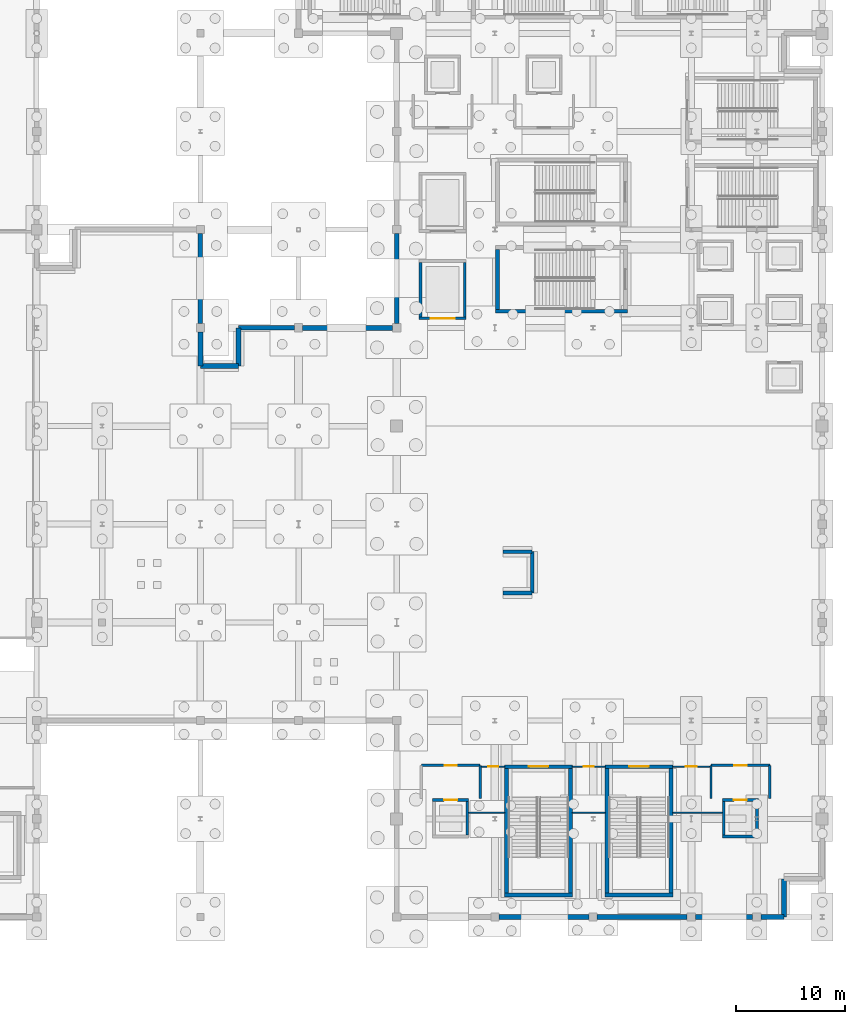
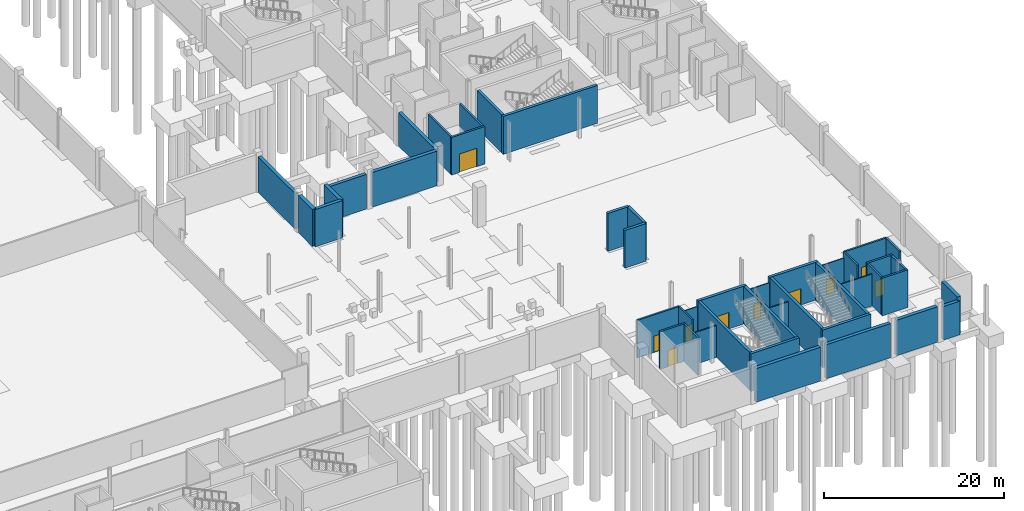
# One storey, part 42 of 58: 45 walls, 10 doors, 10 openings.
"""IFC4 building model written with IfcOpenShell, lengths in metres."""

from ifc_helpers import new_model, si_unit, direction, frame, frame_2d, origin, place, context, subcontext, project, spatial, rectangle, extrude, material, layer, layer_set, type_object, element, fill, save


model = new_model("IFC4")

# Units and contexts
model_context = context("Model", 3, precision=1e-05, world=origin(), true_north=direction((0.0, 1.0)))
body_context = subcontext(model_context, "Body", "Model", "MODEL_VIEW")
ifc_project = project(units=[si_unit("LENGTHUNIT", "METRE"), si_unit("AREAUNIT", "SQUARE_METRE"), si_unit("VOLUMEUNIT", "CUBIC_METRE"), si_unit("PLANEANGLEUNIT", "RADIAN"), si_unit("MASSUNIT", "GRAM", prefix="KILO")], contexts=[model_context])

# Site, building, storey
site_placement = place(None, origin())
site = spatial("IfcSite", under=ifc_project, at=site_placement, CompositionType="ELEMENT")
building_placement = place(site_placement, origin())
building = spatial("IfcBuilding", under=site, at=building_placement, Name="Qamarlyn Nura Convention Centre", CompositionType="ELEMENT")
storey_placement = place(building_placement, frame((0.0, 0.0, -5.39990234375)))
storey = spatial("IfcBuildingStorey", under=building, at=storey_placement, Name="B01", CompositionType="ELEMENT", Elevation=-5.39990234375)

# Wall, opening, door
ifc_material_1 = material(Name="Fire-rated acoustic gypsum board and mineral wool EI 120")
ifc_layer_1 = layer(ifc_material_1, 0.219970703125, Name="WT-COMP-220")
ifc_layer_set_1 = layer_set([ifc_layer_1], Name="Fire-rated acoustic gypsum board and mineral wool EI 120")
wall_type_1 = type_object("IfcWallType", Name="WT-COMP-220", PredefinedType="SOLIDWALL", material=ifc_layer_set_1)
wall_1_placement = place(storey_placement, frame((155.25, 13.89990234375, 0.0), z_axis=(0.0, 0.0, 1.0), x_axis=(1.0, 0.0, 0.0)))
wall_1 = element("IfcWall", 1, at=wall_1_placement, inside=storey, type_object=wall_type_1, Name="B01 firefighting lobby barrier wall FFL-01-OPP", PredefinedType="SOLIDWALL", context=body_context, shape_type="SweptSolid", body=[
    extrude(rectangle(XDim=5.39990234375, YDim=0.219970703125, at=frame_2d((2.699951171875, 0.0))), origin(), (0.0, 0.0, 1.0), 5.099853515625),
])
opening_1_placement = place(wall_1_placement, frame((2.139892578125, 0.0, 0.0)))
opening_1 = element("IfcOpeningElement", 2, at=opening_1_placement, cuts=wall_1, Name="Opening DF-103", PredefinedType="OPENING", context=body_context, shape_type="SweptSolid", body=[
    extrude(rectangle(XDim=1.1201171875, YDim=2.199951171875, at=frame_2d((0.56005859375, 1.10009765625))), frame((0.0, 0.1201171875, 0.0), z_axis=(0.0, -1.0, 0.0), x_axis=(1.0, 0.0, 0.0)), (0.0, 0.0, 1.0), 0.239990234375),
])
ifc_material_2 = material(Name="Galvanised fire-rated hollow steel door", Category="steel")
door_type_1 = type_object("IfcDoorType", Name="DR-FFL-1120", OperationType="NOTDEFINED", PredefinedType="DOOR", material=ifc_material_2)
door_1_placement = place(opening_1_placement, origin())
door_1 = element("IfcDoor", 3, at=door_1_placement, inside=storey, type_object=door_type_1, Name="B01 firefighting lobby door FFL-01 (DF-103)", OperationType="SINGLE_SWING_LEFT", OverallHeight=2.199951171875, OverallWidth=1.1201171875, PredefinedType="DOOR", context=body_context, shape_type="SweptSolid", body=[
    extrude(rectangle(XDim=1.1201171875, YDim=2.199951171875, at=frame_2d((0.56005859375, 1.10009765625))), frame((0.0, 0.02490234375, 0.0), z_axis=(0.0, -1.0, 0.0), x_axis=(1.0, 0.0, 0.0)), (0.0, 0.0, 1.0), 0.050048828125),
])
fill(opening_1, door_1)

# Wall
wall_2_placement = place(storey_placement, frame((160.64990234375, 10.85009765625, 0.0), z_axis=(0.0, 0.0, 1.0), x_axis=(0.0, 1.0, 0.0)))
element("IfcWall", 4, at=wall_2_placement, inside=storey, type_object=wall_type_1, Name="B01 firefighting lobby barrier wall FFL-01-E", PredefinedType="SOLIDWALL", context=body_context, shape_type="SweptSolid", body=[
    extrude(rectangle(XDim=3.0498046875, YDim=0.219970703125, at=frame_2d((1.52490234375, 0.0))), origin(), (0.0, 0.0, 1.0), 5.099853515625),
])

# Wall, opening, door
wall_3_placement = place(storey_placement, frame((181.800048828125, 13.89990234375, 0.0), z_axis=(0.0, 0.0, 1.0), x_axis=(1.0, 0.0, 0.0)))
wall_3 = element("IfcWall", 5, at=wall_3_placement, inside=storey, type_object=wall_type_1, Name="B01 firefighting lobby barrier wall FFL-02-OPP", PredefinedType="SOLIDWALL", context=body_context, shape_type="SweptSolid", body=[
    extrude(rectangle(XDim=5.39990234375, YDim=0.219970703125, at=frame_2d((2.699951171875, 0.0))), origin(), (0.0, 0.0, 1.0), 5.099853515625),
])
opening_2_placement = place(wall_3_placement, frame((2.139892578125, 0.0, 0.0)))
opening_2 = element("IfcOpeningElement", 6, at=opening_2_placement, cuts=wall_3, Name="Opening DF-110", PredefinedType="OPENING", context=body_context, shape_type="SweptSolid", body=[
    extrude(rectangle(XDim=1.1201171875, YDim=2.199951171875, at=frame_2d((0.56005859375, 1.10009765625))), frame((0.0, 0.1201171875, 0.0), z_axis=(0.0, -1.0, 0.0), x_axis=(1.0, 0.0, 0.0)), (0.0, 0.0, 1.0), 0.239990234375),
])
door_2_placement = place(opening_2_placement, origin())
door_2 = element("IfcDoor", 7, at=door_2_placement, inside=storey, type_object=door_type_1, Name="B01 firefighting lobby door FFL-02 (DF-110)", OperationType="SINGLE_SWING_RIGHT", OverallHeight=2.199951171875, OverallWidth=1.1201171875, PredefinedType="DOOR", context=body_context, shape_type="SweptSolid", body=[
    extrude(rectangle(XDim=1.1201171875, YDim=2.199951171875, at=frame_2d((0.56005859375, 1.10009765625))), frame((0.0, 0.02490234375, 0.0), z_axis=(0.0, -1.0, 0.0), x_axis=(1.0, 0.0, 0.0)), (0.0, 0.0, 1.0), 0.050048828125),
])
fill(opening_2, door_2)

# Walls
for number, where, z_axis, x_axis, name in (
    (8, (181.800048828125, 10.85009765625, 0.0), (0.0, 0.0, 1.0), (0.0, 1.0, 0.0), "B01 firefighting lobby barrier wall FFL-02-W"),
    (9, (187.199951171875, 10.85009765625, 0.0), (0.0, 0.0, 1.0), (0.0, 1.0, 0.0), "B01 firefighting lobby barrier wall FFL-02-E"),
):
    element("IfcWall", number, at=place(storey_placement, frame(where, z_axis=z_axis, x_axis=x_axis)), inside=storey, type_object=wall_type_1, Name=name, PredefinedType="SOLIDWALL", context=body_context, shape_type="SweptSolid", body=[
        extrude(rectangle(XDim=3.0498046875, YDim=0.219970703125, at=frame_2d((1.52490234375, 0.0))), origin(), (0.0, 0.0, 1.0), 5.099853515625),
    ])
ifc_material_3 = material(Name="Concrete C50/60", Category="concrete")
ifc_layer_2 = layer(ifc_material_3, 0.35009765625, Name="WT-CORE-350")
ifc_layer_set_2 = layer_set([ifc_layer_2], Name="Concrete C50/60")
wall_type_2 = type_object("IfcWallType", Name="WT-CORE-350", PredefinedType="SHEAR", material=ifc_layer_set_2)
wall_4_placement = place(storey_placement, frame((162.89990234375, 2.02490234375, 0.0), z_axis=(0.0, 0.0, 1.0), x_axis=(1.0, 0.0, 0.0)))
element("IfcWall", 10, at=wall_4_placement, inside=storey, type_object=wall_type_2, Name="B01 stair core shear wall ST-09-S", PredefinedType="SHEAR", context=body_context, shape_type="SweptSolid", body=[
    extrude(rectangle(XDim=6.2001953125, YDim=0.35009765625, at=frame_2d((3.10009765625, 0.0))), origin(), (0.0, 0.0, 1.0), 5.119873046875),
])

# Wall, opening, door
wall_5_placement = place(storey_placement, frame((169.10009765625, 13.77490234375, 0.0), z_axis=(0.0, 0.0, 1.0), x_axis=(-1.0, 0.0, 0.0)))
wall_5 = element("IfcWall", 11, at=wall_5_placement, inside=storey, type_object=wall_type_2, Name="B01 stair core shear wall ST-09-N", PredefinedType="SHEAR", context=body_context, shape_type="SweptSolid", body=[
    extrude(rectangle(XDim=6.2001953125, YDim=0.35009765625, at=frame_2d((3.10009765625, 0.0))), origin(), (0.0, 0.0, 1.0), 5.119873046875),
])
opening_3_placement = place(wall_5_placement, frame((2.199951171875, 0.0, 0.0)))
opening_3 = element("IfcOpeningElement", 12, at=opening_3_placement, cuts=wall_5, Name="Opening DS-029", PredefinedType="OPENING", context=body_context, shape_type="SweptSolid", body=[
    extrude(rectangle(XDim=1.800048828125, YDim=2.199951171875, at=frame_2d((0.89990234375, 1.10009765625))), frame((0.0, 0.18505859375, 0.0), z_axis=(0.0, -1.0, 0.0), x_axis=(1.0, 0.0, 0.0)), (0.0, 0.0, 1.0), 0.3701171875),
])
door_type_2 = type_object("IfcDoorType", Name="DR-STAIR-1800", OperationType="DOUBLE_DOOR_SINGLE_SWING", PredefinedType="DOOR", material=ifc_material_2)
door_3_placement = place(opening_3_placement, origin())
door_3 = element("IfcDoor", 13, at=door_3_placement, inside=storey, type_object=door_type_2, Name="B01 exit stair door ST-09 (DS-029)", OperationType="DOUBLE_DOOR_SINGLE_SWING", OverallHeight=2.199951171875, OverallWidth=1.800048828125, PredefinedType="DOOR", context=body_context, shape_type="SweptSolid", body=[
    extrude(rectangle(XDim=1.800048828125, YDim=2.199951171875, at=frame_2d((0.89990234375, 1.10009765625))), frame((0.0, 0.02490234375, 0.0), z_axis=(0.0, -1.0, 0.0), x_axis=(1.0, 0.0, 0.0)), (0.0, 0.0, 1.0), 0.050048828125),
])
fill(opening_3, door_3)

# Walls
for number, where, z_axis, x_axis, name in (
    (14, (163.074951171875, 13.60009765625, 0.0), (0.0, 0.0, 1.0), (0.0, -1.0, 0.0), "B01 stair core shear wall ST-09-W"),
    (15, (168.925048828125, 2.199951171875, 0.0), (0.0, 0.0, 1.0), (0.0, 1.0, 0.0), "B01 stair core shear wall ST-09-E"),
):
    element("IfcWall", number, at=place(storey_placement, frame(where, z_axis=z_axis, x_axis=x_axis)), inside=storey, type_object=wall_type_2, Name=name, PredefinedType="SHEAR", context=body_context, shape_type="SweptSolid", body=[
        extrude(rectangle(XDim=11.400146484375, YDim=0.35009765625, at=frame_2d((5.7001953125, 0.0))), origin(), (0.0, 0.0, 1.0), 5.119873046875),
    ])
wall_6_placement = place(storey_placement, frame((172.10009765625, 2.02490234375, 0.0), z_axis=(0.0, 0.0, 1.0), x_axis=(1.0, 0.0, 0.0)))
element("IfcWall", 16, at=wall_6_placement, inside=storey, type_object=wall_type_2, Name="B01 stair core shear wall ST-10-S", PredefinedType="SHEAR", context=body_context, shape_type="SweptSolid", body=[
    extrude(rectangle(XDim=6.199951171875, YDim=0.35009765625, at=frame_2d((3.10009765625, 0.0))), origin(), (0.0, 0.0, 1.0), 5.119873046875),
])

# Wall, opening, door
wall_7_placement = place(storey_placement, frame((178.300048828125, 13.77490234375, 0.0), z_axis=(0.0, 0.0, 1.0), x_axis=(-1.0, 0.0, 0.0)))
wall_7 = element("IfcWall", 17, at=wall_7_placement, inside=storey, type_object=wall_type_2, Name="B01 stair core shear wall ST-10-N", PredefinedType="SHEAR", context=body_context, shape_type="SweptSolid", body=[
    extrude(rectangle(XDim=6.199951171875, YDim=0.35009765625, at=frame_2d((3.10009765625, 0.0))), origin(), (0.0, 0.0, 1.0), 5.119873046875),
])
opening_4_placement = place(wall_7_placement, frame((2.199951171875, 0.0, 0.0)))
opening_4 = element("IfcOpeningElement", 18, at=opening_4_placement, cuts=wall_7, Name="Opening DS-036", PredefinedType="OPENING", context=body_context, shape_type="SweptSolid", body=[
    extrude(rectangle(XDim=1.800048828125, YDim=2.199951171875, at=frame_2d((0.89990234375, 1.10009765625))), frame((0.0, 0.18505859375, 0.0), z_axis=(0.0, -1.0, 0.0), x_axis=(1.0, 0.0, 0.0)), (0.0, 0.0, 1.0), 0.3701171875),
])
door_4_placement = place(opening_4_placement, origin())
door_4 = element("IfcDoor", 19, at=door_4_placement, inside=storey, type_object=door_type_2, Name="B01 exit stair door ST-10 (DS-036)", OperationType="DOUBLE_DOOR_SINGLE_SWING", OverallHeight=2.199951171875, OverallWidth=1.800048828125, PredefinedType="DOOR", context=body_context, shape_type="SweptSolid", body=[
    extrude(rectangle(XDim=1.800048828125, YDim=2.199951171875, at=frame_2d((0.89990234375, 1.10009765625))), frame((0.0, 0.02490234375, 0.0), z_axis=(0.0, -1.0, 0.0), x_axis=(1.0, 0.0, 0.0)), (0.0, 0.0, 1.0), 0.050048828125),
])
fill(opening_4, door_4)

# Walls
for number, where, z_axis, x_axis, name in (
    (20, (172.27490234375, 13.60009765625, 0.0), (0.0, 0.0, 1.0), (0.0, -1.0, 0.0), "B01 stair core shear wall ST-10-W"),
    (21, (178.125, 2.199951171875, 0.0), (0.0, 0.0, 1.0), (0.0, 1.0, 0.0), "B01 stair core shear wall ST-10-E"),
):
    element("IfcWall", number, at=place(storey_placement, frame(where, z_axis=z_axis, x_axis=x_axis)), inside=storey, type_object=wall_type_2, Name=name, PredefinedType="SHEAR", context=body_context, shape_type="SweptSolid", body=[
        extrude(rectangle(XDim=11.400146484375, YDim=0.35009765625, at=frame_2d((5.7001953125, 0.0))), origin(), (0.0, 0.0, 1.0), 5.119873046875),
    ])
wall_8_placement = place(storey_placement, frame((162.050048828125, 55.52490234375, 0.0), z_axis=(0.0, 0.0, 1.0), x_axis=(1.0, 0.0, 0.0)))
element("IfcWall", 22, at=wall_8_placement, inside=storey, type_object=wall_type_2, Name="B01 stair core shear wall ST-11-S", PredefinedType="SHEAR", context=body_context, shape_type="SweptSolid", body=[
    extrude(rectangle(XDim=12.099853515625, YDim=0.35009765625, at=frame_2d((6.0498046875, 0.0))), origin(), (0.0, 0.0, 1.0), 5.139892578125),
])
wall_9_placement = place(storey_placement, frame((162.22509765625, 61.199951171875, 0.0), z_axis=(0.0, 0.0, 1.0), x_axis=(0.0, -1.0, 0.0)))
element("IfcWall", 23, at=wall_9_placement, inside=storey, type_object=wall_type_2, Name="B01 stair core shear wall ST-11-W", PredefinedType="SHEAR", context=body_context, shape_type="SweptSolid", body=[
    extrude(rectangle(XDim=5.5, YDim=0.35009765625, at=frame_2d((2.75, 0.0))), origin(), (0.0, 0.0, 1.0), 5.139892578125),
])
for number, where, z_axis, x_axis, name in (
    (24, (162.719970703125, 29.699951171875, 0.0), (0.0, 0.0, 1.0), (1.0, 0.0, 0.0), "B01 feature stair support fin wall ST-20-1"),
    (25, (162.719970703125, 33.47998046875, 0.0), (0.0, 0.0, 1.0), (1.0, 0.0, 0.0), "B01 feature stair support fin wall ST-20-2"),
):
    element("IfcWall", number, at=place(storey_placement, frame(where, z_axis=z_axis, x_axis=x_axis)), inside=storey, type_object=wall_type_2, Name=name, PredefinedType="SHEAR", context=body_context, shape_type="SweptSolid", body=[
        extrude(rectangle(XDim=2.699951171875, YDim=0.35009765625, at=frame_2d((1.35009765625, 0.0))), origin(), (0.0, 0.0, 1.0), 5.119873046875),
    ])
wall_10_placement = place(storey_placement, frame((165.419921875, 29.699951171875, 0.0), z_axis=(0.0, 0.0, 1.0), x_axis=(0.0, 1.0, 0.0)))
element("IfcWall", 26, at=wall_10_placement, inside=storey, type_object=wall_type_2, Name="B01 feature stair support fin wall ST-20-3", PredefinedType="SHEAR", context=body_context, shape_type="SweptSolid", body=[
    extrude(rectangle(XDim=3.780029296875, YDim=0.35009765625, at=frame_2d((1.89013671875, 0.0))), origin(), (0.0, 0.0, 1.0), 5.119873046875),
])

# Wall, opening, door
ifc_material_4 = material(Name="Acoustic double-stud gypsum partition")
ifc_layer_3 = layer(ifc_material_4, 0.1201171875, Name="WT-PART-120")
ifc_layer_set_3 = layer_set([ifc_layer_3], Name="Acoustic double-stud gypsum partition")
wall_type_3 = type_object("IfcWallType", Name="WT-PART-120", PredefinedType="PARTITIONING", material=ifc_layer_set_3)
wall_11_placement = place(storey_placement, frame((160.760009765625, 13.77490234375, 0.0), z_axis=(0.0, 0.0, 1.0), x_axis=(1.0, 0.0, 0.0)))
wall_11 = element("IfcWall", 27, at=wall_11_placement, inside=storey, type_object=wall_type_3, Name="B01 interior partition B01-WC-M-B01-18-1", PredefinedType="PARTITIONING", context=body_context, shape_type="SweptSolid", body=[
    extrude(rectangle(XDim=2.139892578125, YDim=0.1201171875, at=frame_2d((1.06982421875, 0.0))), origin(), (0.0, 0.0, 1.0), 4.331787109375),
])
opening_5_placement = place(wall_11_placement, frame((0.610107421875, 0.0, 0.0)))
opening_5 = element("IfcOpeningElement", 28, at=opening_5_placement, cuts=wall_11, Name="Opening D-B01-131", PredefinedType="OPENING", context=body_context, shape_type="SweptSolid", body=[
    extrude(rectangle(XDim=0.919921875, YDim=2.1201171875, at=frame_2d((0.4599609375, 1.06005859375))), frame((0.0, 0.070068359375, 0.0), z_axis=(0.0, -1.0, 0.0), x_axis=(1.0, 0.0, 0.0)), (0.0, 0.0, 1.0), 0.14013671875),
])
ifc_material_5 = material(Name="Acoustic walnut timber leaf", Category="wood")
door_type_3 = type_object("IfcDoorType", Name="DR-WC-STD-092", OperationType="NOTDEFINED", PredefinedType="DOOR", material=ifc_material_5)
door_5_placement = place(opening_5_placement, origin())
door_5 = element("IfcDoor", 29, at=door_5_placement, inside=storey, type_object=door_type_3, Name="B01 Male WC B01 door D-B01-131", OperationType="SINGLE_SWING_LEFT", OverallHeight=2.1201171875, OverallWidth=0.919921875, PredefinedType="DOOR", context=body_context, shape_type="SweptSolid", body=[
    extrude(rectangle(XDim=0.919921875, YDim=2.1201171875, at=frame_2d((0.4599609375, 1.06005859375))), frame((0.0, 0.02490234375, 0.0), z_axis=(0.0, -1.0, 0.0), x_axis=(1.0, 0.0, 0.0)), (0.0, 0.0, 1.0), 0.050048828125),
])
fill(opening_5, door_5)

# Wall
wall_12_placement = place(storey_placement, frame((162.89990234375, 9.550048828125, 0.0), z_axis=(0.0, 0.0, 1.0), x_axis=(-1.0, 0.0, 0.0)))
element("IfcWall", 30, at=wall_12_placement, inside=storey, type_object=wall_type_3, Name="B01 interior partition B01-WC-M-B01-24-1", PredefinedType="PARTITIONING", context=body_context, shape_type="SweptSolid", body=[
    extrude(rectangle(XDim=3.2998046875, YDim=0.1201171875, at=frame_2d((1.64990234375, 0.0))), origin(), (0.0, 0.0, 1.0), 4.331787109375),
])

# Wall, opening, door
wall_13_placement = place(storey_placement, frame((169.10009765625, 13.77490234375, 0.0), z_axis=(0.0, 0.0, 1.0), x_axis=(1.0, 0.0, 0.0)))
wall_13 = element("IfcWall", 31, at=wall_13_placement, inside=storey, type_object=wall_type_3, Name="B01 interior partition B01-WC-F-B01-1-1", PredefinedType="PARTITIONING", context=body_context, shape_type="SweptSolid", body=[
    extrude(rectangle(XDim=3.0, YDim=0.1201171875, at=frame_2d((1.5, 0.0))), origin(), (0.0, 0.0, 1.0), 4.331787109375),
])
opening_6_placement = place(wall_13_placement, frame((1.0400390625, 0.0, 0.0)))
opening_6 = element("IfcOpeningElement", 32, at=opening_6_placement, cuts=wall_13, Name="Opening D-B01-132", PredefinedType="OPENING", context=body_context, shape_type="SweptSolid", body=[
    extrude(rectangle(XDim=0.919921875, YDim=2.1201171875, at=frame_2d((0.4599609375, 1.06005859375))), frame((0.0, 0.070068359375, 0.0), z_axis=(0.0, -1.0, 0.0), x_axis=(1.0, 0.0, 0.0)), (0.0, 0.0, 1.0), 0.14013671875),
])
door_6_placement = place(opening_6_placement, origin())
door_6 = element("IfcDoor", 33, at=door_6_placement, inside=storey, type_object=door_type_3, Name="B01 Female WC B01 door D-B01-132", OperationType="SINGLE_SWING_RIGHT", OverallHeight=2.1201171875, OverallWidth=0.919921875, PredefinedType="DOOR", context=body_context, shape_type="SweptSolid", body=[
    extrude(rectangle(XDim=0.919921875, YDim=2.1201171875, at=frame_2d((0.4599609375, 1.06005859375))), frame((0.0, 0.02490234375, 0.0), z_axis=(0.0, -1.0, 0.0), x_axis=(1.0, 0.0, 0.0)), (0.0, 0.0, 1.0), 0.050048828125),
])
fill(opening_6, door_6)

# Wall
wall_14_placement = place(storey_placement, frame((172.10009765625, 9.550048828125, 0.0), z_axis=(0.0, 0.0, 1.0), x_axis=(-1.0, 0.0, 0.0)))
element("IfcWall", 34, at=wall_14_placement, inside=storey, type_object=wall_type_3, Name="B01 interior partition B01-WC-F-B01-7-1", PredefinedType="PARTITIONING", context=body_context, shape_type="SweptSolid", body=[
    extrude(rectangle(XDim=3.0, YDim=0.1201171875, at=frame_2d((1.5, 0.0))), origin(), (0.0, 0.0, 1.0), 4.331787109375),
])

# Wall, opening, door
wall_15_placement = place(storey_placement, frame((178.300048828125, 13.77490234375, 0.0), z_axis=(0.0, 0.0, 1.0), x_axis=(1.0, 0.0, 0.0)))
wall_15 = element("IfcWall", 35, at=wall_15_placement, inside=storey, type_object=wall_type_3, Name="B01 interior partition B01-WC-A-B01-1-1", PredefinedType="PARTITIONING", context=body_context, shape_type="SweptSolid", body=[
    extrude(rectangle(XDim=3.389892578125, YDim=0.1201171875, at=frame_2d((1.69482421875, 0.0))), origin(), (0.0, 0.0, 1.0), 4.331787109375),
])
opening_7_placement = place(wall_15_placement, frame((1.18505859375, 0.0, 0.0)))
opening_7 = element("IfcOpeningElement", 36, at=opening_7_placement, cuts=wall_15, Name="Opening D-B01-133", PredefinedType="OPENING", context=body_context, shape_type="SweptSolid", body=[
    extrude(rectangle(XDim=1.02001953125, YDim=2.159912109375, at=frame_2d((0.510009765625, 1.080078125))), frame((0.0, 0.070068359375, 0.0), z_axis=(0.0, -1.0, 0.0), x_axis=(1.0, 0.0, 0.0)), (0.0, 0.0, 1.0), 0.14013671875),
])
door_type_4 = type_object("IfcDoorType", Name="DR-WC-ACC-102", OperationType="NOTDEFINED", PredefinedType="DOOR", material=ifc_material_5)
door_7_placement = place(opening_7_placement, origin())
door_7 = element("IfcDoor", 37, at=door_7_placement, inside=storey, type_object=door_type_4, Name="B01 Accessible WC B01 door D-B01-133", OperationType="SINGLE_SWING_LEFT", OverallHeight=2.159912109375, OverallWidth=1.02001953125, PredefinedType="DOOR", context=body_context, shape_type="SweptSolid", body=[
    extrude(rectangle(XDim=1.02001953125, YDim=2.159912109375, at=frame_2d((0.510009765625, 1.080078125))), frame((0.0, 0.02490234375, 0.0), z_axis=(0.0, -1.0, 0.0), x_axis=(1.0, 0.0, 0.0)), (0.0, 0.0, 1.0), 0.050048828125),
])
fill(opening_7, door_7)

# Walls
wall_16_placement = place(storey_placement, frame((182.85009765625, 9.550048828125, 0.0), z_axis=(0.0, 0.0, 1.0), x_axis=(-1.0, 0.0, 0.0)))
element("IfcWall", 38, at=wall_16_placement, inside=storey, type_object=wall_type_3, Name="B01 interior partition B01-WC-A-B01-20-1", PredefinedType="PARTITIONING", context=body_context, shape_type="SweptSolid", body=[
    extrude(rectangle(XDim=4.550048828125, YDim=0.1201171875, at=frame_2d((2.27490234375, 0.0))), origin(), (0.0, 0.0, 1.0), 4.331787109375),
])
ifc_material_6 = material(Name="Concrete C40/50", Category="concrete")
ifc_layer_4 = layer(ifc_material_6, 0.419921875, Name="WT-RET-420")
ifc_layer_set_4 = layer_set([ifc_layer_4], Name="Concrete C40/50")
wall_type_4 = type_object("IfcWallType", Name="WT-RET-420", PredefinedType="USERDEFINED", material=ifc_layer_set_4)
wall_17_placement = place(storey_placement, frame((135.0, 62.625, 0.0), z_axis=(0.0, 0.0, 1.0), x_axis=(0.0, -1.0, 0.0)))
element("IfcWall", 39, at=wall_17_placement, inside=storey, type_object=wall_type_4, Name="B01 perimeter retaining wall 38", ObjectType="RETAININGWALL", PredefinedType="USERDEFINED", context=body_context, shape_type="SweptSolid", body=[
    extrude(rectangle(XDim=8.25, YDim=0.419921875, at=frame_2d((4.125, 0.0))), origin(), (0.0, 0.0, 1.0), 4.845947265625),
])
wall_18_placement = place(storey_placement, frame((135.0, 50.5, 0.0), z_axis=(0.0, 0.0, 1.0), x_axis=(1.0, 0.0, 0.0)))
element("IfcWall", 40, at=wall_18_placement, inside=storey, type_object=wall_type_4, Name="B01 perimeter retaining wall 40", ObjectType="RETAININGWALL", PredefinedType="USERDEFINED", context=body_context, shape_type="SweptSolid", body=[
    extrude(rectangle(XDim=3.5, YDim=0.419921875, at=frame_2d((1.75, 0.0))), origin(), (0.0, 0.0, 1.0), 5.0498046875),
])
wall_19_placement = place(storey_placement, frame((138.5, 54.0, 0.0), z_axis=(0.0, 0.0, 1.0), x_axis=(1.0, 0.0, 0.0)))
element("IfcWall", 41, at=wall_19_placement, inside=storey, type_object=wall_type_4, Name="B01 perimeter retaining wall 42", ObjectType="RETAININGWALL", PredefinedType="USERDEFINED", context=body_context, shape_type="SweptSolid", body=[
    extrude(rectangle(XDim=5.125, YDim=0.419921875, at=frame_2d((2.5625, 0.0))), origin(), (0.0, 0.0, 1.0), 4.68994140625),
])
wall_20_placement = place(storey_placement, frame((153.0, 54.375, 0.0), z_axis=(0.0, 0.0, 1.0), x_axis=(0.0, 1.0, 0.0)))
element("IfcWall", 42, at=wall_20_placement, inside=storey, type_object=wall_type_4, Name="B01 perimeter retaining wall 44", ObjectType="RETAININGWALL", PredefinedType="USERDEFINED", context=body_context, shape_type="SweptSolid", body=[
    extrude(rectangle(XDim=8.25, YDim=0.419921875, at=frame_2d((4.125, 0.0))), origin(), (0.0, 0.0, 1.0), 4.513916015625),
])
wall_21_placement = place(storey_placement, frame((188.5, 0.0, 0.0), z_axis=(0.0, 0.0, 1.0), x_axis=(-1.0, 0.0, 0.0)))
element("IfcWall", 43, at=wall_21_placement, inside=storey, type_object=wall_type_4, Name="B01 perimeter retaining wall 80", ObjectType="RETAININGWALL", PredefinedType="USERDEFINED", context=body_context, shape_type="SweptSolid", body=[
    extrude(rectangle(XDim=2.125, YDim=0.419921875, at=frame_2d((1.0625, 0.0))), origin(), (0.0, 0.0, 1.0), 4.56591796875),
])
wall_22_placement = place(storey_placement, frame((179.625, 0.0, 0.0), z_axis=(0.0, 0.0, 1.0), x_axis=(-1.0, 0.0, 0.0)))
element("IfcWall", 44, at=wall_22_placement, inside=storey, type_object=wall_type_4, Name="B01 perimeter retaining wall 82", ObjectType="RETAININGWALL", PredefinedType="USERDEFINED", context=body_context, shape_type="SweptSolid", body=[
    extrude(rectangle(XDim=8.25, YDim=0.419921875, at=frame_2d((4.125, 0.0))), origin(), (0.0, 0.0, 1.0), 4.638916015625),
])
ifc_layer_5 = layer(ifc_material_6, 0.449951171875, Name="WT-RET-450")
ifc_layer_set_5 = layer_set([ifc_layer_5], Name="Concrete C40/50")
wall_type_5 = type_object("IfcWallType", Name="WT-RET-450", PredefinedType="USERDEFINED", material=ifc_layer_set_5)
wall_23_placement = place(storey_placement, frame((135.0, 53.625, 0.0), z_axis=(0.0, 0.0, 1.0), x_axis=(0.0, -1.0, 0.0)))
element("IfcWall", 45, at=wall_23_placement, inside=storey, type_object=wall_type_5, Name="B01 perimeter retaining wall 39", ObjectType="RETAININGWALL", PredefinedType="USERDEFINED", context=body_context, shape_type="SweptSolid", body=[
    extrude(rectangle(XDim=3.125, YDim=0.449951171875, at=frame_2d((1.5625, 0.0))), origin(), (0.0, 0.0, 1.0), 5.0498046875),
])
wall_24_placement = place(storey_placement, frame((138.5, 50.5, 0.0), z_axis=(0.0, 0.0, 1.0), x_axis=(0.0, 1.0, 0.0)))
element("IfcWall", 46, at=wall_24_placement, inside=storey, type_object=wall_type_5, Name="B01 perimeter retaining wall 41", ObjectType="RETAININGWALL", PredefinedType="USERDEFINED", context=body_context, shape_type="SweptSolid", body=[
    extrude(rectangle(XDim=3.5, YDim=0.449951171875, at=frame_2d((1.75, 0.0))), origin(), (0.0, 0.0, 1.0), 5.0498046875),
])
wall_25_placement = place(storey_placement, frame((144.375, 54.0, 0.0), z_axis=(0.0, 0.0, 1.0), x_axis=(1.0, 0.0, 0.0)))
element("IfcWall", 47, at=wall_25_placement, inside=storey, type_object=wall_type_5, Name="B01 perimeter retaining wall 43", ObjectType="RETAININGWALL", PredefinedType="USERDEFINED", context=body_context, shape_type="SweptSolid", body=[
    extrude(rectangle(XDim=8.25, YDim=0.449951171875, at=frame_2d((4.125, 0.0))), origin(), (0.0, 0.0, 1.0), 4.700927734375),
])
wall_26_placement = place(storey_placement, frame((188.5, 3.5, 0.0), z_axis=(0.0, 0.0, 1.0), x_axis=(0.0, -1.0, 0.0)))
element("IfcWall", 48, at=wall_26_placement, inside=storey, type_object=wall_type_5, Name="B01 perimeter retaining wall 79", ObjectType="RETAININGWALL", PredefinedType="USERDEFINED", context=body_context, shape_type="SweptSolid", body=[
    extrude(rectangle(XDim=3.5, YDim=0.449951171875, at=frame_2d((1.75, 0.0))), origin(), (0.0, 0.0, 1.0), 5.0498046875),
])
wall_27_placement = place(storey_placement, frame((185.625, 0.0, 0.0), z_axis=(0.0, 0.0, 1.0), x_axis=(-1.0, 0.0, 0.0)))
element("IfcWall", 49, at=wall_27_placement, inside=storey, type_object=wall_type_5, Name="B01 perimeter retaining wall 81", ObjectType="RETAININGWALL", PredefinedType="USERDEFINED", context=body_context, shape_type="SweptSolid", body=[
    extrude(rectangle(XDim=5.25, YDim=0.449951171875, at=frame_2d((2.625, 0.0))), origin(), (0.0, 0.0, 1.0), 4.804931640625),
])
wall_28_placement = place(storey_placement, frame((170.625, 0.0, 0.0), z_axis=(0.0, 0.0, 1.0), x_axis=(-1.0, 0.0, 0.0)))
element("IfcWall", 50, at=wall_28_placement, inside=storey, type_object=wall_type_5, Name="B01 perimeter retaining wall 83", ObjectType="RETAININGWALL", PredefinedType="USERDEFINED", context=body_context, shape_type="SweptSolid", body=[
    extrude(rectangle(XDim=8.25, YDim=0.449951171875, at=frame_2d((4.125, 0.0))), origin(), (0.0, 0.0, 1.0), 4.56591796875),
])

# Wall, opening, door
ifc_layer_6 = layer(ifc_material_1, 0.25, Name="WT-SHAFT-250")
ifc_layer_set_6 = layer_set([ifc_layer_6], Name="Fire-rated acoustic gypsum board and mineral wool EI 120")
wall_type_6 = type_object("IfcWallType", Name="WT-SHAFT-250", PredefinedType="SOLIDWALL", material=ifc_layer_set_6)
wall_29_placement = place(storey_placement, frame((159.60009765625, 10.72509765625, 0.0), z_axis=(0.0, 0.0, 1.0), x_axis=(-1.0, 0.0, 0.0)))
wall_29 = element("IfcWall", 51, at=wall_29_placement, inside=storey, type_object=wall_type_6, Name="B01 lift shaft enclosure wall FFL-01 +y", PredefinedType="SOLIDWALL", context=body_context, shape_type="SweptSolid", body=[
    extrude(rectangle(XDim=3.300048828125, YDim=0.25, at=frame_2d((1.64990234375, 0.0))), origin(), (0.0, 0.0, 1.0), 5.099853515625),
])
opening_8_placement = place(wall_29_placement, frame((1.050048828125, 0.0, 0.0)))
opening_8 = element("IfcOpeningElement", 52, at=opening_8_placement, cuts=wall_29, Name="Opening LD-FFL-01-B01", PredefinedType="OPENING", context=body_context, shape_type="SweptSolid", body=[
    extrude(rectangle(XDim=1.199951171875, YDim=2.25, at=frame_2d((0.60009765625, 1.125))), frame((0.0, 0.135009765625, 0.0), z_axis=(0.0, -1.0, 0.0), x_axis=(1.0, 0.0, 0.0)), (0.0, 0.0, 1.0), 0.27001953125),
])
ifc_material_7 = material(Name="Marine Grade 316 stainless steel", Category="steel")
door_type_5 = type_object("IfcDoorType", Name="DR-LD-FFL", OperationType="DOUBLE_DOOR_SLIDING", PredefinedType="DOOR", material=ifc_material_7)
door_8_placement = place(opening_8_placement, origin())
door_8 = element("IfcDoor", 53, at=door_8_placement, inside=storey, type_object=door_type_5, Name="Lift landing door LD-FFL-01-B01", OperationType="DOUBLE_DOOR_SLIDING", OverallHeight=2.25, OverallWidth=1.199951171875, PredefinedType="DOOR", context=body_context, shape_type="SweptSolid", body=[
    extrude(rectangle(XDim=1.199951171875, YDim=2.25, at=frame_2d((0.60009765625, 1.125))), frame((0.0, 0.02490234375, 0.0), z_axis=(0.0, -1.0, 0.0), x_axis=(1.0, 0.0, 0.0)), (0.0, 0.0, 1.0), 0.050048828125),
])
fill(opening_8, door_8)

# Walls
wall_30_placement = place(storey_placement, frame((159.47509765625, 7.5, 0.0), z_axis=(0.0, 0.0, 1.0), x_axis=(0.0, 1.0, 0.0)))
element("IfcWall", 54, at=wall_30_placement, inside=storey, type_object=wall_type_6, Name="B01 lift shaft enclosure wall FFL-01 +x", PredefinedType="SOLIDWALL", context=body_context, shape_type="SweptSolid", body=[
    extrude(rectangle(XDim=3.10009765625, YDim=0.25, at=frame_2d((1.550048828125, 0.0))), origin(), (0.0, 0.0, 1.0), 5.099853515625),
])
wall_31_placement = place(storey_placement, frame((182.85009765625, 7.375, 0.0), z_axis=(0.0, 0.0, 1.0), x_axis=(1.0, 0.0, 0.0)))
element("IfcWall", 55, at=wall_31_placement, inside=storey, type_object=wall_type_6, Name="B01 lift shaft enclosure wall FFL-02 -y", PredefinedType="SOLIDWALL", context=body_context, shape_type="SweptSolid", body=[
    extrude(rectangle(XDim=3.2998046875, YDim=0.25, at=frame_2d((1.64990234375, 0.0))), origin(), (0.0, 0.0, 1.0), 5.099853515625),
])

# Wall, opening, door
wall_32_placement = place(storey_placement, frame((186.14990234375, 10.72509765625, 0.0), z_axis=(0.0, 0.0, 1.0), x_axis=(-1.0, 0.0, 0.0)))
wall_32 = element("IfcWall", 56, at=wall_32_placement, inside=storey, type_object=wall_type_6, Name="B01 lift shaft enclosure wall FFL-02 +y", PredefinedType="SOLIDWALL", context=body_context, shape_type="SweptSolid", body=[
    extrude(rectangle(XDim=3.2998046875, YDim=0.25, at=frame_2d((1.64990234375, 0.0))), origin(), (0.0, 0.0, 1.0), 5.099853515625),
])
opening_9_placement = place(wall_32_placement, frame((1.050048828125, 0.0, 0.0)))
opening_9 = element("IfcOpeningElement", 57, at=opening_9_placement, cuts=wall_32, Name="Opening LD-FFL-02-B01", PredefinedType="OPENING", context=body_context, shape_type="SweptSolid", body=[
    extrude(rectangle(XDim=1.199951171875, YDim=2.25, at=frame_2d((0.60009765625, 1.125))), frame((0.0, 0.135009765625, 0.0), z_axis=(0.0, -1.0, 0.0), x_axis=(1.0, 0.0, 0.0)), (0.0, 0.0, 1.0), 0.27001953125),
])
door_9_placement = place(opening_9_placement, origin())
door_9 = element("IfcDoor", 58, at=door_9_placement, inside=storey, type_object=door_type_5, Name="Lift landing door LD-FFL-02-B01", OperationType="DOUBLE_DOOR_SLIDING", OverallHeight=2.25, OverallWidth=1.199951171875, PredefinedType="DOOR", context=body_context, shape_type="SweptSolid", body=[
    extrude(rectangle(XDim=1.199951171875, YDim=2.25, at=frame_2d((0.60009765625, 1.125))), frame((0.0, 0.02490234375, 0.0), z_axis=(0.0, -1.0, 0.0), x_axis=(1.0, 0.0, 0.0)), (0.0, 0.0, 1.0), 0.050048828125),
])
fill(opening_9, door_9)

# Walls
for number, where, z_axis, x_axis, name in (
    (59, (182.97509765625, 10.60009765625, 0.0), (0.0, 0.0, 1.0), (0.0, -1.0, 0.0), "B01 lift shaft enclosure wall FFL-02 -x"),
    (60, (186.02490234375, 7.5, 0.0), (0.0, 0.0, 1.0), (0.0, 1.0, 0.0), "B01 lift shaft enclosure wall FFL-02 +x"),
):
    element("IfcWall", number, at=place(storey_placement, frame(where, z_axis=z_axis, x_axis=x_axis)), inside=storey, type_object=wall_type_6, Name=name, PredefinedType="SOLIDWALL", context=body_context, shape_type="SweptSolid", body=[
        extrude(rectangle(XDim=3.10009765625, YDim=0.25, at=frame_2d((1.550048828125, 0.0))), origin(), (0.0, 0.0, 1.0), 5.099853515625),
    ])

# Wall, opening, door
wall_33_placement = place(storey_placement, frame((155.050048828125, 54.875, 0.0), z_axis=(0.0, 0.0, 1.0), x_axis=(1.0, 0.0, 0.0)))
wall_33 = element("IfcWall", 61, at=wall_33_placement, inside=storey, type_object=wall_type_6, Name="B01 lift shaft enclosure wall FL-03 -y", PredefinedType="SOLIDWALL", context=body_context, shape_type="SweptSolid", body=[
    extrude(rectangle(XDim=4.300048828125, YDim=0.25, at=frame_2d((2.14990234375, 0.0))), origin(), (0.0, 0.0, 1.0), 5.099853515625),
])
opening_10_placement = place(wall_33_placement, frame((1.050048828125, 0.0, 0.0)))
opening_10 = element("IfcOpeningElement", 62, at=opening_10_placement, cuts=wall_33, Name="Opening LD-FL-03-B01", PredefinedType="OPENING", context=body_context, shape_type="SweptSolid", body=[
    extrude(rectangle(XDim=2.199951171875, YDim=2.5, at=frame_2d((1.10009765625, 1.25))), frame((0.0, 0.135009765625, 0.0), z_axis=(0.0, -1.0, 0.0), x_axis=(1.0, 0.0, 0.0)), (0.0, 0.0, 1.0), 0.27001953125),
])
door_type_6 = type_object("IfcDoorType", Name="DR-LD-FRT", OperationType="DOUBLE_DOOR_SLIDING", PredefinedType="DOOR", material=ifc_material_2)
door_10_placement = place(opening_10_placement, origin())
door_10 = element("IfcDoor", 63, at=door_10_placement, inside=storey, type_object=door_type_6, Name="Lift landing door LD-FL-03-B01", OperationType="DOUBLE_DOOR_SLIDING", OverallHeight=2.5, OverallWidth=2.199951171875, PredefinedType="DOOR", context=body_context, shape_type="SweptSolid", body=[
    extrude(rectangle(XDim=2.199951171875, YDim=2.5, at=frame_2d((1.10009765625, 1.25))), frame((0.0, 0.02490234375, 0.0), z_axis=(0.0, -1.0, 0.0), x_axis=(1.0, 0.0, 0.0)), (0.0, 0.0, 1.0), 0.050048828125),
])
fill(opening_10, door_10)

# Walls
for number, where, z_axis, x_axis, name in (
    (64, (155.175048828125, 60.0, 0.0), (0.0, 0.0, 1.0), (0.0, -1.0, 0.0), "B01 lift shaft enclosure wall FL-03 -x"),
    (65, (159.22509765625, 55.0, 0.0), (0.0, 0.0, 1.0), (0.0, 1.0, 0.0), "B01 lift shaft enclosure wall FL-03 +x"),
):
    element("IfcWall", number, at=place(storey_placement, frame(where, z_axis=z_axis, x_axis=x_axis)), inside=storey, type_object=wall_type_6, Name=name, PredefinedType="SOLIDWALL", context=body_context, shape_type="SweptSolid", body=[
        extrude(rectangle(XDim=5.0, YDim=0.25, at=frame_2d((2.5, 0.0))), origin(), (0.0, 0.0, 1.0), 5.099853515625),
    ])

save(model, "model.ifc")
